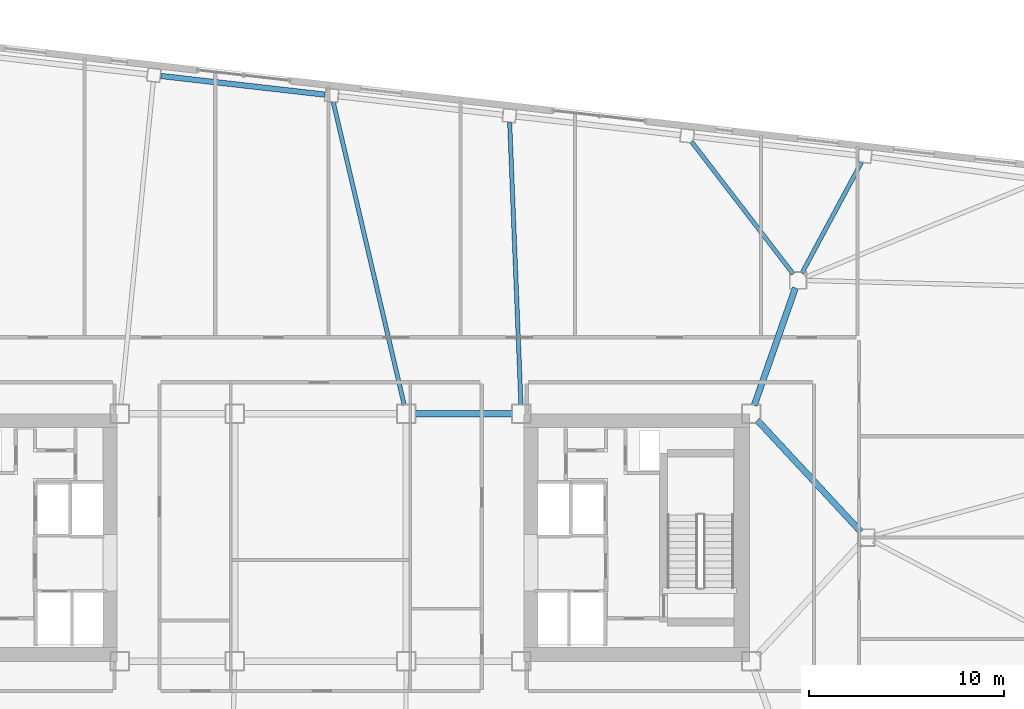
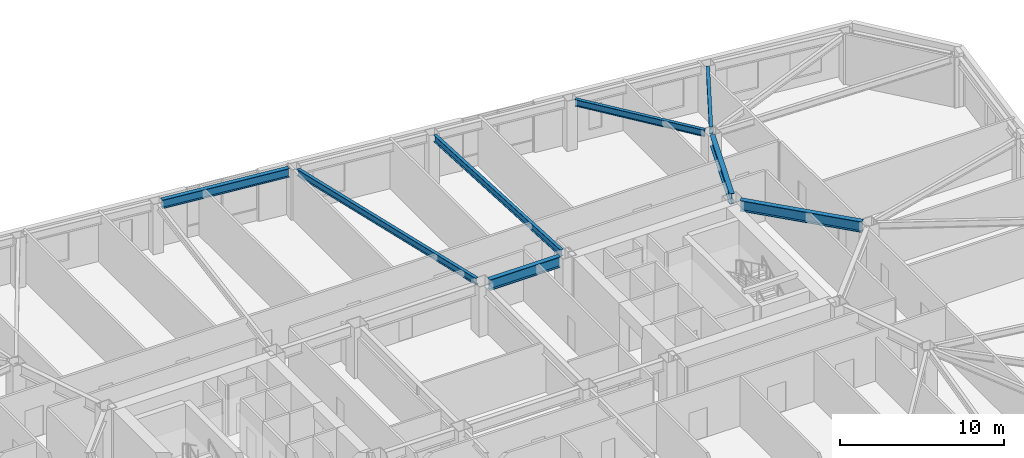
# One storey, part 7 of 21: 8 beams.
"""IFC4 building model written with IfcOpenShell, lengths in metres."""

from ifc_helpers import new_model, si_unit, direction, frame, origin, origin_2d, place, context, subcontext, project, spatial, i_section, extrude, material, material_profile, profile_set, type_object, element, save


model = new_model("IFC4")

# Units and contexts
model_context = context("Model", 3, precision=1e-05, world=origin(), true_north=direction((0.0, 1.0)))
body_context = subcontext(model_context, "Body", "Model", "MODEL_VIEW")
ifc_project = project(units=[si_unit("LENGTHUNIT", "METRE"), si_unit("AREAUNIT", "SQUARE_METRE"), si_unit("VOLUMEUNIT", "CUBIC_METRE"), si_unit("PLANEANGLEUNIT", "RADIAN"), si_unit("MASSUNIT", "GRAM", prefix="KILO")], contexts=[model_context])

# Site, building, storey
site_placement = place(None, origin())
site = spatial("IfcSite", under=ifc_project, at=site_placement, CompositionType="ELEMENT")
building_placement = place(site_placement, origin())
building = spatial("IfcBuilding", under=site, at=building_placement, Name="Tavrogorsk Clinical Tower", CompositionType="ELEMENT")
storey_placement = place(building_placement, frame((0.0, 0.0, 129.39990234375)))
storey = spatial("IfcBuildingStorey", under=building, at=storey_placement, Name="L29", CompositionType="ELEMENT", Elevation=129.39990234375)

# Beams
ifc_material_1 = material(Name="Structural steel S355", Category="steel")
ifc_material_profile_1 = material_profile(ifc_material_1, i_section(OverallWidth=0.219970703125, OverallDepth=0.5, WebThickness=0.012939453125, FlangeThickness=0.02001953125, at=origin_2d()), Name="B-500x220x13x20")
ifc_profile_set_1 = profile_set([ifc_material_profile_1], Name="Structural steel S355")
beam_type_1 = type_object("IfcBeamType", Name="FloorBeam_B500", PredefinedType="BEAM", material=ifc_profile_set_1)
beam_1_placement = place(storey_placement, frame((24.6943359375, 13.56103515625, 3.489990234375), z_axis=(0.473788919736, 0.880638438597, 0.0), x_axis=(-0.880638438597, 0.473788919736, 0.0)))
element("IfcBeam", 1, at=beam_1_placement, inside=storey, type_object=beam_type_1, Name="L29 Radial Floor Beam N2", PredefinedType="BEAM", context=body_context, shape_type="SweptSolid", body=[
    extrude(i_section(OverallWidth=0.219970703125, OverallDepth=0.5, WebThickness=0.012939453125, FlangeThickness=0.02001953125, at=origin_2d()), origin(), (0.0, 0.0, 1.0), 6.462890625),
])
beam_2_placement = place(storey_placement, frame((24.250244140625, 13.525146484375, 3.489990234375), z_axis=(-0.609376288757, 0.792881163038, 0.0), x_axis=(-0.792881163038, -0.609376288757, 0.0)))
element("IfcBeam", 2, at=beam_2_placement, inside=storey, type_object=beam_type_1, Name="L29 Radial Floor Beam N3", PredefinedType="BEAM", context=body_context, shape_type="SweptSolid", body=[
    extrude(i_section(OverallWidth=0.219970703125, OverallDepth=0.5, WebThickness=0.012939453125, FlangeThickness=0.02001953125, at=origin_2d()), origin(), (0.0, 0.0, 1.0), 8.5732421875),
])
beam_3_placement = place(storey_placement, frame((10.28173828125, 6.8095703125, 3.489990234375), z_axis=(-0.039881908424, 0.999204400201, 0.0), x_axis=(-0.999204400201, -0.039881908424, 0.0)))
element("IfcBeam", 3, at=beam_3_placement, inside=storey, type_object=beam_type_1, Name="L29 Radial Floor Beam N4", PredefinedType="BEAM", context=body_context, shape_type="SweptSolid", body=[
    extrude(i_section(OverallWidth=0.219970703125, OverallDepth=0.5, WebThickness=0.012939453125, FlangeThickness=0.02001953125, at=origin_2d()), origin(), (0.0, 0.0, 1.0), 14.48974609375),
])
beam_4_placement = place(storey_placement, frame((4.294921875, 6.7978515625, 3.489990234375), z_axis=(-0.228197667081, 0.973614823603, 0.0), x_axis=(-0.973614823603, -0.228197667081, 0.0)))
element("IfcBeam", 4, at=beam_4_placement, inside=storey, type_object=beam_type_1, Name="L29 Radial Floor Beam N5", PredefinedType="BEAM", context=body_context, shape_type="SweptSolid", body=[
    extrude(i_section(OverallWidth=0.219970703125, OverallDepth=0.5, WebThickness=0.012939453125, FlangeThickness=0.02001953125, at=origin_2d()), origin(), (0.0, 0.0, 1.0), 15.959228515625),
])
ifc_material_2 = material(Name="Structural steel S390", Category="steel")
ifc_material_profile_2 = material_profile(ifc_material_2, i_section(OverallWidth=0.320068359375, OverallDepth=0.800048828125, WebThickness=0.02001953125, FlangeThickness=0.033935546875, at=origin_2d()), Name="B-800x320x20x34")
ifc_profile_set_2 = profile_set([ifc_material_profile_2], Name="Structural steel S390")
beam_type_2 = type_object("IfcBeamType", Name="PrimaryGirder_B800", PredefinedType="USERDEFINED", material=ifc_profile_set_2)
beam_5_placement = place(storey_placement, frame((4.860107421875, 6.35009765625, 3.340087890625), z_axis=(1.0, 0.0, 0.0), x_axis=(0.0, 1.0, 0.0)))
element("IfcBeam", 5, at=beam_5_placement, inside=storey, type_object=beam_type_2, Name="L29 Primary Spine Girder MG-06", ObjectType="GIRDER", PredefinedType="USERDEFINED", context=body_context, shape_type="SweptSolid", body=[
    extrude(i_section(OverallWidth=0.320068359375, OverallDepth=0.800048828125, WebThickness=0.02001953125, FlangeThickness=0.033935546875, at=origin_2d()), origin(), (0.0, 0.0, 1.0), 4.97998046875),
])
beam_6_placement = place(storey_placement, frame((24.364501953125, 12.81298828125, 3.340087890625), z_axis=(-0.330660234815, -0.943749865755, 0.0), x_axis=(0.943749865755, -0.330660234815, 0.0)))
element("IfcBeam", 6, at=beam_6_placement, inside=storey, type_object=beam_type_2, Name="L29 Spine Link Girder OPG-4", ObjectType="GIRDER", PredefinedType="USERDEFINED", context=body_context, shape_type="SweptSolid", body=[
    extrude(i_section(OverallWidth=0.320068359375, OverallDepth=0.800048828125, WebThickness=0.02001953125, FlangeThickness=0.033935546875, at=origin_2d()), origin(), (0.0, 0.0, 1.0), 6.38818359375),
])
beam_7_placement = place(storey_placement, frame((27.720947265625, 0.30029296875, 3.340087890625), z_axis=(-0.680675630035, 0.732584934787, 0.0), x_axis=(-0.732584934787, -0.680675630035, 0.0)))
element("IfcBeam", 7, at=beam_7_placement, inside=storey, type_object=beam_type_2, Name="L29 Spine Link Girder OPG-8", ObjectType="GIRDER", PredefinedType="USERDEFINED", context=body_context, shape_type="SweptSolid", body=[
    extrude(i_section(OverallWidth=0.320068359375, OverallDepth=0.800048828125, WebThickness=0.02001953125, FlangeThickness=0.033935546875, at=origin_2d()), origin(), (0.0, 0.0, 1.0), 7.7978515625),
])
ifc_material_3 = material(Name="Structural steel S390", Category="steel")
ifc_material_profile_3 = material_profile(ifc_material_3, i_section(OverallWidth=0.280029296875, OverallDepth=0.64990234375, WebThickness=0.01611328125, FlangeThickness=0.02490234375, at=origin_2d()), Name="B-650x280x16x25")
ifc_profile_set_3 = profile_set([ifc_material_profile_3], Name="Structural steel S390")
beam_type_3 = type_object("IfcBeamType", Name="SpandrelBeam_B650", PredefinedType="SPANDREL", material=ifc_profile_set_3)
beam_8_placement = place(storey_placement, frame((0.2158203125, 22.724853515625, 3.4150390625), z_axis=(-0.993569819641, 0.113221082395, 0.0), x_axis=(-0.113221082395, -0.993569819641, 0.0)))
element("IfcBeam", 8, at=beam_8_placement, inside=storey, type_object=beam_type_3, Name="L29 Perimeter Spandrel N5-N6", PredefinedType="SPANDREL", context=body_context, shape_type="SweptSolid", body=[
    extrude(i_section(OverallWidth=0.280029296875, OverallDepth=0.64990234375, WebThickness=0.01611328125, FlangeThickness=0.02490234375, at=origin_2d()), origin(), (0.0, 0.0, 1.0), 8.46142578125),
])

save(model, "model.ifc")
